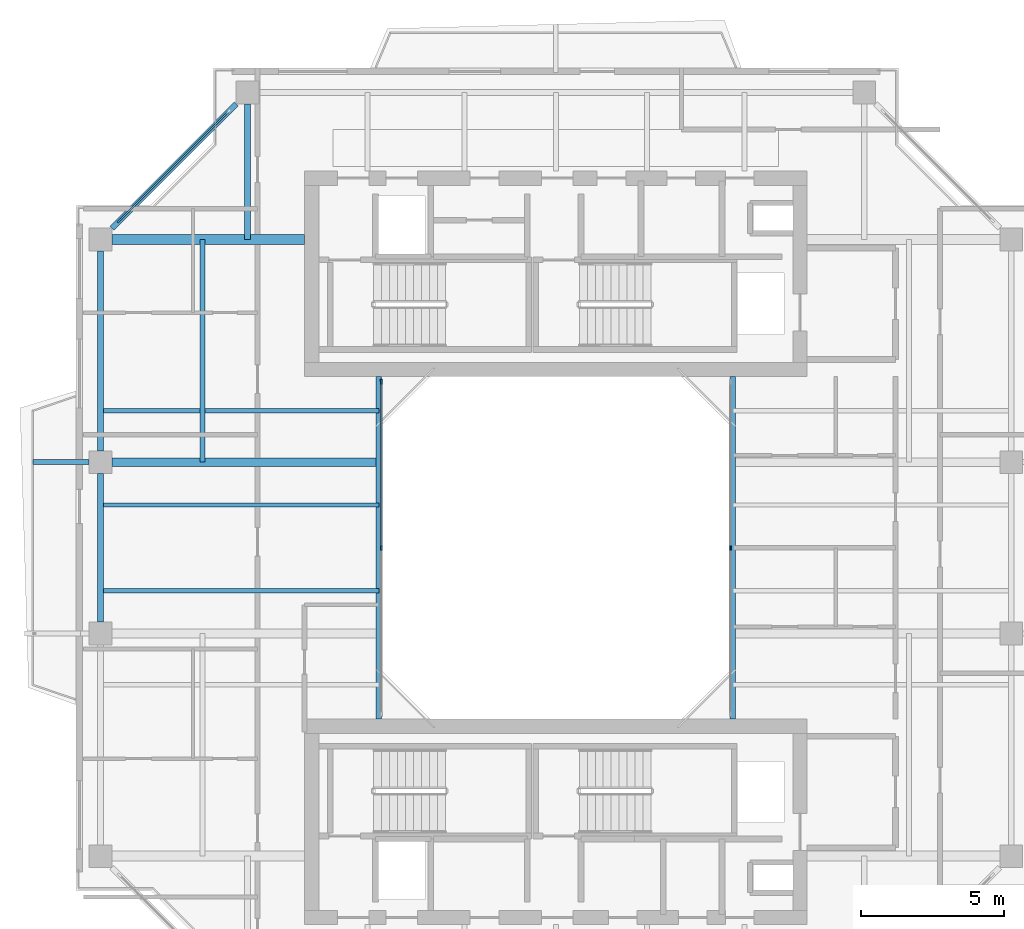
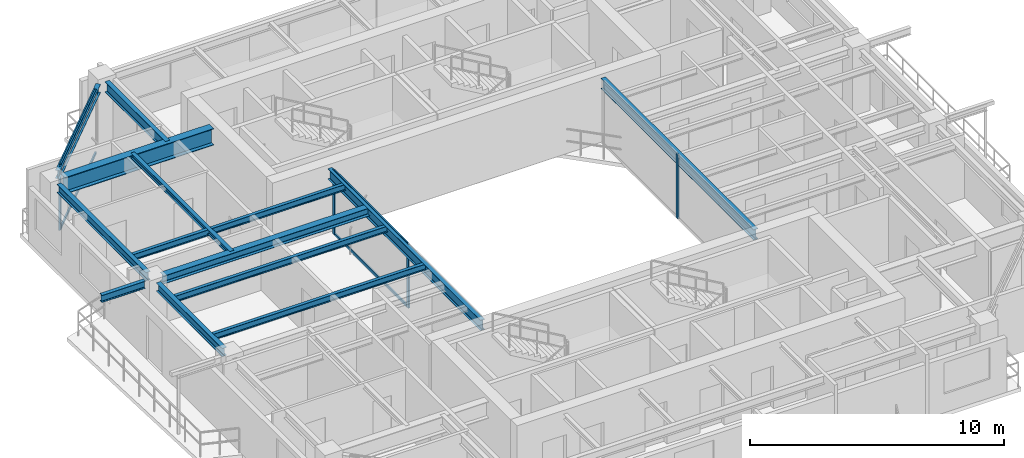
# One storey, part 5 of 15: 13 beams, 8 members, 3 elements without a shape of their own.
"""IFC4 building model written with IfcOpenShell, lengths in metres."""

import ifcopenshell
import ifcopenshell.guid

model = None  # the IFC model being written
_history = None  # IfcOwnerHistory: only IFC2X3 demands one
_inside = {}  # id of a spatial element -> (the spatial element, [elements in it])
_under = {}  # id of a project, library or spatial element -> (it, [spatial elements below it])
_declared = {}  # id of a project -> (the project, [libraries it declares])
_typed = {}  # id of a type object -> (the type object, [elements of that type])
_made_of = {}  # id of a material, layer set ... -> (it, [elements and type objects made of it])


def new_model(schema):
    """Start an empty IFC model of exactly this schema.

    Asked for "IFC4X3", IfcOpenShell would pick the latest addendum, in which some entities
    have other attributes; the version numbers below select the first issue.
    IFC2X3 requires an IfcOwnerHistory on every rooted entity: one is made here for all.
    """
    global model, _history
    if schema == "IFC4X3":
        model = ifcopenshell.file(schema_version=(4, 3, 0, 0))
    else:
        model = ifcopenshell.file(schema=schema)
    _inside.clear()
    _under.clear()
    _declared.clear()
    _typed.clear()
    _made_of.clear()
    _history = None
    if model.schema == "IFC2X3":
        org = make("IfcOrganization", Name="unknown")
        user = make(
            "IfcPersonAndOrganization",
            ThePerson=make("IfcPerson", FamilyName="unknown"),
            TheOrganization=org,
        )
        app = make(
            "IfcApplication",
            ApplicationDeveloper=org,
            Version="unknown",
            ApplicationFullName="unknown",
            ApplicationIdentifier="unknown",
        )
        _history = make(
            "IfcOwnerHistory",
            OwningUser=user,
            OwningApplication=app,
            ChangeAction="ADDED",
            CreationDate=0,
        )
    return model


def make(cls, **values):
    """One entity of the class cls with the attributes given. An attribute that is None is left unset."""
    return model.create_entity(
        cls, **{name: value for name, value in values.items() if value is not None}
    )


def rooted(cls, **values):
    """An entity with a GlobalId (a new one), such as an element, a storey or a relation."""
    return make(cls, GlobalId=ifcopenshell.guid.new(), OwnerHistory=_history, **values)


def si_unit(unit_type, name, prefix=None):
    """IfcSIUnit, for example si_unit("LENGTHUNIT", "METRE", prefix="MILLI")."""
    return make("IfcSIUnit", UnitType=unit_type, Prefix=prefix, Name=name)


def assignment(units):
    """IfcUnitAssignment: the units of a project."""
    return None if units is None else make("IfcUnitAssignment", Units=units)


def point(xyz):
    """IfcCartesianPoint."""
    return None if xyz is None else make("IfcCartesianPoint", Coordinates=xyz)


def direction(xyz):
    """IfcDirection."""
    return None if xyz is None else make("IfcDirection", DirectionRatios=xyz)


def frame(location, z_axis=None, x_axis=None):
    """IfcAxis2Placement3D, a coordinate frame: its origin and axes. An axis left out is left unset."""
    return make(
        "IfcAxis2Placement3D",
        Location=point(location),
        Axis=direction(z_axis),
        RefDirection=direction(x_axis),
    )


def frame_2d(location, x_axis=None):
    """IfcAxis2Placement2D, a coordinate frame in the plane: its origin and x axis."""
    return make(
        "IfcAxis2Placement2D", Location=point(location), RefDirection=direction(x_axis)
    )


def origin():
    """The frame at (0, 0, 0) with its axes left unset."""
    return frame((0.0, 0.0, 0.0))


def origin_2d():
    """The frame at (0, 0) in the plane with its x axis left unset."""
    return frame_2d((0.0, 0.0))


def place(relative_to, where):
    """IfcLocalPlacement: puts the frame where relative to a parent placement (None: the world)."""
    return make(
        "IfcLocalPlacement", PlacementRelTo=relative_to, RelativePlacement=where
    )


def context(
    kind, dimensions, precision=None, world=None, true_north=None, identifier=None
):
    """IfcGeometricRepresentationContext, for example the 3D "Model" context."""
    return make(
        "IfcGeometricRepresentationContext",
        ContextIdentifier=identifier,
        ContextType=kind,
        CoordinateSpaceDimension=dimensions,
        Precision=precision,
        WorldCoordinateSystem=world,
        TrueNorth=true_north,
    )


def subcontext(parent, identifier, kind, view, scale=None):
    """IfcGeometricRepresentationSubContext, for example "Body" below "Model"."""
    return make(
        "IfcGeometricRepresentationSubContext",
        ContextIdentifier=identifier,
        ContextType=kind,
        ParentContext=parent,
        TargetScale=scale,
        TargetView=view,
    )


def project(units=None, contexts=None):
    """IfcProject with its units and contexts."""
    return rooted(
        "IfcProject",
        Name="project",
        RepresentationContexts=contexts,
        UnitsInContext=assignment(units),
    )


def spatial(cls, under=None, at=None, **own):
    """A site, building, storey or space (cls), placed at a placement, below another one or the project."""
    s = rooted(cls, ObjectPlacement=at, **own)
    if under is not None:
        _under.setdefault(under.id(), (under, []))[1].append(s)
    return s


def profile(cls, at=None, kind="AREA", **sizes):
    """A parametric profile (cls). Its sizes go by their IFC names, for example OverallWidth=200.0."""
    return make(cls, ProfileType=kind, Position=at, **sizes)


def rectangle(**sizes):
    """IfcRectangleProfileDef."""
    return profile("IfcRectangleProfileDef", **sizes)


def i_section(**sizes):
    """IfcIShapeProfileDef."""
    return profile("IfcIShapeProfileDef", **sizes)


def extrude(swept, where, along, depth):
    """IfcExtrudedAreaSolid: the profile swept, set in the frame where, extruded along a direction by depth."""
    return make(
        "IfcExtrudedAreaSolid",
        SweptArea=swept,
        Position=where,
        ExtrudedDirection=direction(along),
        Depth=depth,
    )


def shape(context_of_items, identifier, shape_type, items):
    """IfcShapeRepresentation: the items that make up one representation, for example the "Body"."""
    return make(
        "IfcShapeRepresentation",
        ContextOfItems=context_of_items,
        RepresentationIdentifier=identifier,
        RepresentationType=shape_type,
        Items=items,
    )


def source(mapping_origin, context_of_items, identifier, shape_type, items):
    """IfcRepresentationMap: a shape defined once, which mapped items show again and again."""
    return make(
        "IfcRepresentationMap",
        MappingOrigin=mapping_origin,
        MappedRepresentation=shape(context_of_items, identifier, shape_type, items),
    )


def transform(
    local_origin,
    x_axis=None,
    y_axis=None,
    z_axis=None,
    scale=None,
    scale2=None,
    scale3=None,
    uniform=True,
):
    """IfcCartesianTransformationOperator3D, or its non-uniform kind. x_axis, y_axis, z_axis: its Axis1, 2, 3."""
    if uniform:
        return make(
            "IfcCartesianTransformationOperator3D",
            Axis1=direction(x_axis),
            Axis2=direction(y_axis),
            LocalOrigin=point(local_origin),
            Scale=scale,
            Axis3=direction(z_axis),
        )
    return make(
        "IfcCartesianTransformationOperator3DnonUniform",
        Axis1=direction(x_axis),
        Axis2=direction(y_axis),
        LocalOrigin=point(local_origin),
        Scale=scale,
        Axis3=direction(z_axis),
        Scale2=scale2,
        Scale3=scale3,
    )


def mapped(mapping_source, mapping_target):
    """IfcMappedItem: shows the shape of a source again, moved by a transform."""
    return make(
        "IfcMappedItem", MappingSource=mapping_source, MappingTarget=mapping_target
    )


def material(Name=None, Category=None):
    """IfcMaterial."""
    return make("IfcMaterial", Name=Name, Category=Category)


def layer(
    of_material, thickness, ventilated=None, Name=None, Category=None, Priority=None
):
    """IfcMaterialLayer: one layer of a wall or slab, of a material (None: an air gap)."""
    return make(
        "IfcMaterialLayer",
        Material=of_material,
        LayerThickness=thickness,
        IsVentilated=ventilated,
        Name=Name,
        Category=Category,
        Priority=Priority,
    )


def layer_set(layers, Name=None):
    """IfcMaterialLayerSet."""
    return make("IfcMaterialLayerSet", MaterialLayers=layers, LayerSetName=Name)


def material_profile(
    of_material, cross_section, Name=None, Category=None, Priority=None
):
    """IfcMaterialProfile: a cross section and its material."""
    return make(
        "IfcMaterialProfile",
        Name=Name,
        Material=of_material,
        Profile=cross_section,
        Priority=Priority,
        Category=Category,
    )


def profile_set(profiles, Name=None, composite=None):
    """IfcMaterialProfileSet."""
    return make(
        "IfcMaterialProfileSet",
        Name=Name,
        MaterialProfiles=profiles,
        CompositeProfile=composite,
    )


def made_of(thing, what):
    """Note that an element or type object is made of a material, layer set ...; save() writes the relation."""
    if what is not None:
        _made_of.setdefault(what.id(), (what, []))[1].append(thing)
    return thing


def type_object(cls, material=None, **own):
    """A type object (cls), such as IfcWallType, which elements share."""
    return made_of(rooted(cls, **own), material)


def element(
    cls,
    number,
    at=None,
    inside=None,
    cuts=None,
    type_object=None,
    material=None,
    context=None,
    identifier="Body",
    shape_type=None,
    held_by="IfcProductDefinitionShape",
    body=None,
    shapes=None,
    **own,
):
    """One element of the class cls, such as IfcWall. Its Tag is "e" and its number.

    at: its placement. inside: the storey or other place that contains it. cuts: it is an
    opening in that element (IfcRelVoidsElement). A single representation is given by context,
    identifier, shape_type and body (its items); several are given by shapes. held_by: the class
    of the entity that holds the representations. save() writes the other relations.
    """
    e = rooted(cls, Tag="e%d" % number, ObjectPlacement=at, **own)
    if body is not None:
        shapes = [shape(context, identifier, shape_type, body)]
    if shapes is not None:
        e.Representation = make(held_by, Representations=shapes)
    if inside is not None:
        _inside.setdefault(inside.id(), (inside, []))[1].append(e)
    if cuts is not None:
        rooted(
            "IfcRelVoidsElement", RelatingBuildingElement=cuts, RelatedOpeningElement=e
        )
    if type_object is not None:
        _typed.setdefault(type_object.id(), (type_object, []))[1].append(e)
    return made_of(e, material)


def aggregate(whole, parts):
    """IfcRelAggregates: a whole, such as a stair, and the parts it consists of."""
    return rooted("IfcRelAggregates", RelatingObject=whole, RelatedObjects=parts)


def save(model, path):
    """Write the relations noted so far, then the file.

    IfcRelAggregates (storeys below a building ...), IfcRelContainedInSpatialStructure (elements
    in a storey), IfcRelDefinesByType, IfcRelAssociatesMaterial and IfcRelDeclares: one each for
    every whole, place, type object, material and project.
    """
    for whole, parts in _under.values():
        aggregate(whole, parts)
    for where, things in _inside.values():
        rooted(
            "IfcRelContainedInSpatialStructure",
            RelatedElements=things,
            RelatingStructure=where,
        )
    for kind, things in _typed.values():
        rooted("IfcRelDefinesByType", RelatedObjects=things, RelatingType=kind)
    for what, things in _made_of.values():
        rooted("IfcRelAssociatesMaterial", RelatedObjects=things, RelatingMaterial=what)
    for by, libraries in _declared.values():
        rooted("IfcRelDeclares", RelatingContext=by, RelatedDefinitions=libraries)
    model.write(path)


model = new_model("IFC4")

# Units and contexts
model_context = context("Model", 3, precision=1e-05, world=origin(), true_north=direction((0.0, 1.0)))
body_context = subcontext(model_context, "Body", "Model", "MODEL_VIEW")
ifc_project = project(units=[si_unit("LENGTHUNIT", "METRE"), si_unit("AREAUNIT", "SQUARE_METRE"), si_unit("VOLUMEUNIT", "CUBIC_METRE"), si_unit("PLANEANGLEUNIT", "RADIAN"), si_unit("MASSUNIT", "GRAM", prefix="KILO"), si_unit("THERMODYNAMICTEMPERATUREUNIT", "KELVIN"), si_unit("POWERUNIT", "WATT")], contexts=[model_context])

# Site, building, storey
site_placement = place(None, origin())
site = spatial("IfcSite", under=ifc_project, at=site_placement, CompositionType="ELEMENT")
building_placement = place(site_placement, origin())
building = spatial("IfcBuilding", under=site, at=building_placement, Name="Qiaomeng Ring Towers", CompositionType="ELEMENT")
storey_placement = place(building_placement, frame((0.0, 0.0, 200.25)))
storey = spatial("IfcBuildingStorey", under=building, at=storey_placement, Name="L58", CompositionType="ELEMENT", Elevation=200.25)

# Beams
ifc_material_1 = material(Name="Steel Q355B", Category="steel")
ifc_material_profile_1 = material_profile(ifc_material_1, i_section(OverallWidth=0.199951171875, OverallDepth=0.5, WebThickness=0.010009765625, FlangeThickness=0.01611328125, FilletRadius=0.02001953125, at=origin_2d()), Name="HN 500x200x10x16")
ifc_profile_set_1 = profile_set([ifc_material_profile_1], Name="Steel Q355B")
beam_type_1 = type_object("IfcBeamType", Name="STR-BM-HN500", PredefinedType="BEAM", material=ifc_profile_set_1)
shared_shape_1 = source(origin(), body_context, "Body", "SweptSolid", [
    extrude(i_section(OverallWidth=0.199951171875, OverallDepth=0.5, WebThickness=0.010009765625, FlangeThickness=0.01611328125, FilletRadius=0.02001953125, at=origin_2d()), origin(), (0.0, 0.0, 1.0), 12.0),
])
for number, where, z_axis, x_axis, name in (
    (1, (12.800048828125, 17.0, 2.820068359375), (0.0, 1.0, 0.0), (-1.0, 0.0, 0.0), "L58 beam STR-BM-L58-WELL-W"),
    (2, (25.199951171875, 17.0, 2.820068359375), (0.0, 1.0, 0.0), (-1.0, 0.0, 0.0), "L58 beam STR-BM-L58-WELL-E"),
):
    element("IfcBeam", number, at=place(storey_placement, frame(where, z_axis=z_axis, x_axis=x_axis)), inside=storey, type_object=beam_type_1, Name=name, PredefinedType="BEAM", context=body_context, shape_type="MappedRepresentation", body=[
        mapped(shared_shape_1, transform((0.0, 0.0, 0.0), x_axis=(1.0, 0.0, 0.0), y_axis=(0.0, 1.0, 0.0), z_axis=(0.0, 0.0, 1.0), scale=1.0)),
    ])
ifc_material_profile_2 = material_profile(ifc_material_1, i_section(OverallWidth=0.198974609375, OverallDepth=0.39599609375, WebThickness=0.007080078125, FlangeThickness=0.010986328125, FilletRadius=0.01611328125, at=origin_2d()), Name="HN 396x199x7x11")
ifc_profile_set_2 = profile_set([ifc_material_profile_2], Name="Steel Q355B")
beam_type_2 = type_object("IfcBeamType", Name="STR-BM-HN396", PredefinedType="SPANDREL", material=ifc_profile_set_2)
shared_shape_2 = source(origin(), body_context, "Body", "SweptSolid", [
    extrude(i_section(OverallWidth=0.198974609375, OverallDepth=0.39599609375, WebThickness=0.007080078125, FlangeThickness=0.010986328125, FilletRadius=0.01611328125, at=origin_2d()), origin(), (0.0, 0.0, 1.0), 6.154052734375),
])
beam_1_placement = place(storey_placement, frame((7.80078125, 38.55078125, 2.8720703125), z_axis=(-0.707106781187, -0.707106781187, 0.0), x_axis=(0.707106781187, -0.707106781187, 0.0)))
element("IfcBeam", 3, at=beam_1_placement, inside=storey, type_object=beam_type_2, Name="L58 beam STR-SP-L58-T1-N1-W4", PredefinedType="SPANDREL", context=body_context, shape_type="MappedRepresentation", body=[
    mapped(shared_shape_2, transform((0.0, 0.0, 0.0), x_axis=(1.0, 0.0, 0.0), y_axis=(0.0, 1.0, 0.0), z_axis=(0.0, 0.0, 1.0), scale=1.0)),
])
shared_shape_3 = source(origin(), body_context, "Body", "SweptSolid", [
    extrude(i_section(OverallWidth=0.198974609375, OverallDepth=0.39599609375, WebThickness=0.007080078125, FlangeThickness=0.010986328125, FilletRadius=0.01611328125, at=origin_2d()), origin(), (0.0, 0.0, 1.0), 7.001953125),
])
beam_2_placement = place(storey_placement, frame((3.050048828125, 33.40087890625, 2.8720703125), z_axis=(0.0, -1.0, 0.0), x_axis=(1.0, 0.0, 0.0)))
element("IfcBeam", 4, at=beam_2_placement, inside=storey, type_object=beam_type_2, Name="L58 beam STR-SP-L58-T1-W4-W3", PredefinedType="SPANDREL", context=body_context, shape_type="MappedRepresentation", body=[
    mapped(shared_shape_3, transform((0.0, 0.0, 0.0), x_axis=(1.0, 0.0, 0.0), y_axis=(0.0, 1.0, 0.0), z_axis=(0.0, 0.0, 1.0), scale=1.0)),
])
shared_shape_4 = source(origin(), body_context, "Body", "SweptSolid", [
    extrude(i_section(OverallWidth=0.198974609375, OverallDepth=0.39599609375, WebThickness=0.007080078125, FlangeThickness=0.010986328125, FilletRadius=0.01611328125, at=origin_2d()), origin(), (0.0, 0.0, 1.0), 5.2021484375),
])
beam_3_placement = place(storey_placement, frame((3.050048828125, 25.60107421875, 2.8720703125), z_axis=(0.0, -1.0, 0.0), x_axis=(1.0, 0.0, 0.0)))
element("IfcBeam", 5, at=beam_3_placement, inside=storey, type_object=beam_type_2, Name="L58 beam STR-SP-L58-T1-W3-W2", PredefinedType="SPANDREL", context=body_context, shape_type="MappedRepresentation", body=[
    mapped(shared_shape_4, transform((0.0, 0.0, 0.0), x_axis=(1.0, 0.0, 0.0), y_axis=(0.0, 1.0, 0.0), z_axis=(0.0, 0.0, 1.0), scale=1.0)),
])
ifc_material_2 = material(Name="Steel Q390GJC", Category="steel")
ifc_material_profile_3 = material_profile(ifc_material_2, i_section(OverallWidth=0.35009765625, OverallDepth=0.800048828125, WebThickness=0.01611328125, FlangeThickness=0.028076171875, at=origin_2d()), Name="WH 800x350x16x28")
ifc_profile_set_3 = profile_set([ifc_material_profile_3], Name="Steel Q390GJC")
beam_type_3 = type_object("IfcBeamType", Name="STR-BM-WH800", PredefinedType="BEAM", material=ifc_profile_set_3)
shared_shape_5 = source(origin(), body_context, "Body", "SweptSolid", [
    extrude(i_section(OverallWidth=0.35009765625, OverallDepth=0.800048828125, WebThickness=0.01611328125, FlangeThickness=0.028076171875, at=origin_2d()), origin(), (0.0, 0.0, 1.0), 6.7509765625),
])
beam_4_placement = place(storey_placement, frame((3.448974609375, 33.800048828125, 2.669921875), z_axis=(1.0, 0.0, 0.0), x_axis=(0.0, 1.0, 0.0)))
element("IfcBeam", 6, at=beam_4_placement, inside=storey, type_object=beam_type_3, Name="L58 beam STR-BM-L58-T1-RAD-W4", PredefinedType="BEAM", context=body_context, shape_type="MappedRepresentation", body=[
    mapped(shared_shape_5, transform((0.0, 0.0, 0.0), x_axis=(1.0, 0.0, 0.0), y_axis=(0.0, 1.0, 0.0), z_axis=(0.0, 0.0, 1.0), scale=1.0)),
])
shared_shape_6 = source(origin(), body_context, "Body", "SweptSolid", [
    extrude(i_section(OverallWidth=0.199951171875, OverallDepth=0.5, WebThickness=0.010009765625, FlangeThickness=0.01611328125, FilletRadius=0.02001953125, at=origin_2d()), origin(), (0.0, 0.0, 1.0), 4.7509765625),
])
beam_5_placement = place(storey_placement, frame((8.199951171875, 38.551025390625, 2.820068359375), z_axis=(0.0, -1.0, 0.0), x_axis=(1.0, 0.0, 0.0)))
element("IfcBeam", 7, at=beam_5_placement, inside=storey, type_object=beam_type_1, Name="L58 beam STR-BM-L58-T1-RAD-N1", PredefinedType="BEAM", context=body_context, shape_type="MappedRepresentation", body=[
    mapped(shared_shape_6, transform((0.0, 0.0, 0.0), x_axis=(1.0, 0.0, 0.0), y_axis=(0.0, 1.0, 0.0), z_axis=(0.0, 0.0, 1.0), scale=1.0)),
])
ifc_material_profile_4 = material_profile(ifc_material_1, i_section(OverallWidth=0.300048828125, OverallDepth=0.389892578125, WebThickness=0.010009765625, FlangeThickness=0.01611328125, FilletRadius=0.02197265625, at=origin_2d()), Name="HM 390x300x10x16")
ifc_profile_set_4 = profile_set([ifc_material_profile_4], Name="Steel Q355B")
beam_type_4 = type_object("IfcBeamType", Name="STR-BM-HM390", PredefinedType="BEAM", material=ifc_profile_set_4)
shared_shape_7 = source(origin(), body_context, "Body", "SweptSolid", [
    extrude(i_section(OverallWidth=0.300048828125, OverallDepth=0.389892578125, WebThickness=0.010009765625, FlangeThickness=0.01611328125, FilletRadius=0.02197265625, at=origin_2d()), origin(), (0.0, 0.0, 1.0), 9.35107421875),
])
beam_6_placement = place(storey_placement, frame((3.448974609375, 26.0, 2.875), z_axis=(1.0, 0.0, 0.0), x_axis=(0.0, 1.0, 0.0)))
element("IfcBeam", 8, at=beam_6_placement, inside=storey, type_object=beam_type_4, Name="L58 beam STR-BM-L58-T1-RAD-W3", PredefinedType="BEAM", context=body_context, shape_type="MappedRepresentation", body=[
    mapped(shared_shape_7, transform((0.0, 0.0, 0.0), x_axis=(1.0, 0.0, 0.0), y_axis=(0.0, 1.0, 0.0), z_axis=(0.0, 0.0, 1.0), scale=1.0)),
])
ifc_material_profile_5 = material_profile(ifc_material_1, i_section(OverallWidth=0.175048828125, OverallDepth=0.35009765625, WebThickness=0.007080078125, FlangeThickness=0.010986328125, FilletRadius=0.013916015625, at=origin_2d()), Name="HN 350x175x7x11")
ifc_profile_set_5 = profile_set([ifc_material_profile_5], Name="Steel Q355B")
beam_type_5 = type_object("IfcBeamType", Name="STR-BM-HN350", PredefinedType="JOIST", material=ifc_profile_set_5)
shared_shape_8 = source(origin(), body_context, "Body", "SweptSolid", [
    extrude(i_section(OverallWidth=0.175048828125, OverallDepth=0.35009765625, WebThickness=0.007080078125, FlangeThickness=0.010986328125, FilletRadius=0.013916015625, at=origin_2d()), origin(), (0.0, 0.0, 1.0), 1.970947265625),
])
beam_7_placement = place(storey_placement, frame((0.679931640625, 26.0, 2.89501953125), z_axis=(1.0, 0.0, 0.0), x_axis=(0.0, 1.0, 0.0)))
element("IfcBeam", 9, at=beam_7_placement, inside=storey, type_object=beam_type_5, Name="L58 beam STR-BALBM-L58-W3", PredefinedType="JOIST", context=body_context, shape_type="MappedRepresentation", body=[
    mapped(shared_shape_8, transform((0.0, 0.0, 0.0), x_axis=(1.0, 0.0, 0.0), y_axis=(0.0, 1.0, 0.0), z_axis=(0.0, 0.0, 1.0), scale=1.0)),
])
ifc_material_profile_6 = material_profile(ifc_material_1, i_section(OverallWidth=0.14990234375, OverallDepth=0.300048828125, WebThickness=0.006591796875, FlangeThickness=0.009033203125, FilletRadius=0.012939453125, at=origin_2d()), Name="HN 300x150x6.5x9")
ifc_profile_set_6 = profile_set([ifc_material_profile_6], Name="Steel Q355B")
beam_type_6 = type_object("IfcBeamType", Name="STR-BM-HN300", PredefinedType="JOIST", material=ifc_profile_set_6)
shared_shape_9 = source(origin(), body_context, "Body", "SweptSolid", [
    extrude(i_section(OverallWidth=0.14990234375, OverallDepth=0.300048828125, WebThickness=0.006591796875, FlangeThickness=0.009033203125, FilletRadius=0.012939453125, at=origin_2d()), origin(), (0.0, 0.0, 1.0), 9.75),
])
for number, where, z_axis, x_axis, name in (
    (10, (3.050048828125, 21.5, 2.919921875), (1.0, 0.0, 0.0), (0.0, 1.0, 0.0), "L58 beam STR-JST-L58-T1W-2"),
    (11, (3.050048828125, 24.5, 2.919921875), (1.0, 0.0, 0.0), (0.0, 1.0, 0.0), "L58 beam STR-JST-L58-T1W-3"),
    (12, (3.050048828125, 27.800048828125, 2.919921875), (1.0, 0.0, 0.0), (0.0, 1.0, 0.0), "L58 beam STR-JST-L58-T1W-4"),
):
    element("IfcBeam", number, at=place(storey_placement, frame(where, z_axis=z_axis, x_axis=x_axis)), inside=storey, type_object=beam_type_6, Name=name, PredefinedType="JOIST", context=body_context, shape_type="MappedRepresentation", body=[
        mapped(shared_shape_9, transform((0.0, 0.0, 0.0), x_axis=(1.0, 0.0, 0.0), y_axis=(0.0, 1.0, 0.0), z_axis=(0.0, 0.0, 1.0), scale=1.0)),
    ])
ifc_material_profile_7 = material_profile(ifc_material_1, i_section(OverallWidth=0.175048828125, OverallDepth=0.243896484375, WebThickness=0.007080078125, FlangeThickness=0.010986328125, FilletRadius=0.01611328125, at=origin_2d()), Name="HM 244x175x7x11")
ifc_profile_set_7 = profile_set([ifc_material_profile_7], Name="Steel Q355B")
beam_type_7 = type_object("IfcBeamType", Name="STR-BM-HM244", PredefinedType="JOIST", material=ifc_profile_set_7)
shared_shape_10 = source(origin(), body_context, "Body", "SweptSolid", [
    extrude(i_section(OverallWidth=0.175048828125, OverallDepth=0.243896484375, WebThickness=0.007080078125, FlangeThickness=0.010986328125, FilletRadius=0.01611328125, at=origin_2d()), origin(), (0.0, 0.0, 1.0), 7.800048828125),
])
beam_8_placement = place(storey_placement, frame((6.625, 26.0, 2.947998046875), z_axis=(0.0, 1.0, 0.0), x_axis=(-1.0, 0.0, 0.0)))
element("IfcBeam", 13, at=beam_8_placement, inside=storey, type_object=beam_type_7, Name="L58 beam STR-JST-L58-T1C-WN", PredefinedType="JOIST", context=body_context, shape_type="MappedRepresentation", body=[
    mapped(shared_shape_10, transform((0.0, 0.0, 0.0), x_axis=(1.0, 0.0, 0.0), y_axis=(0.0, 1.0, 0.0), z_axis=(0.0, 0.0, 1.0), scale=1.0)),
])

# Curtain wall, members
ifc_material_3 = material(Name="Fluorocarbon dark-grey aluminium", Category="aluminium")
ifc_layer_1 = layer(ifc_material_3, 0.139892578125, Name="Fluorocarbon dark-grey aluminium")
ifc_layer_set_1 = layer_set([ifc_layer_1], Name="Fluorocarbon dark-grey aluminium")
curtain_wall_type_1 = type_object("IfcCurtainWallType", Name="ARC-CW-4", PredefinedType="NOTDEFINED", material=ifc_layer_set_1)
curtain_wall_1_placement = place(storey_placement, origin())
curtain_wall_1 = element("IfcCurtainWall", 14, at=curtain_wall_1_placement, inside=storey, type_object=curtain_wall_type_1, Name="L58 Curtain Wall CW4", PredefinedType="NOTDEFINED")
ifc_material_profile_8 = material_profile(ifc_material_3, rectangle(XDim=0.06494140625, YDim=0.159912109375, at=origin_2d()), Name="ALU MULL 65x160")
ifc_profile_set_8 = profile_set([ifc_material_profile_8], Name="Fluorocarbon dark-grey aluminium")
member_type_1 = type_object("IfcMemberType", Name="ARC-CWM-140", PredefinedType="MULLION", material=ifc_profile_set_8)
shared_shape_11 = source(origin(), body_context, "Body", "SweptSolid", [
    extrude(rectangle(XDim=0.06494140625, YDim=0.159912109375, at=origin_2d()), origin(), (0.0, 0.0, 1.0), 3.070068359375),
])
member_1_placement = place(storey_placement, frame((12.8798828125, 23.0, 0.0), z_axis=(0.0, 0.0, 1.0), x_axis=(-1.0, 0.0, 0.0)))
member_1 = element("IfcMember", 15, at=member_1_placement, type_object=member_type_1, Name="CW4 mullion 2", PredefinedType="MULLION", context=body_context, shape_type="MappedRepresentation", body=[
    mapped(shared_shape_11, transform((0.0, 0.0, 0.0), x_axis=(1.0, 0.0, 0.0), y_axis=(0.0, 1.0, 0.0), z_axis=(0.0, 0.0, 1.0), scale=1.0)),
])
member_2_placement = place(storey_placement, frame((12.8798828125, 28.8173828125, 0.0), z_axis=(0.0, 0.0, 1.0), x_axis=(-1.0, 0.0, 0.0)))
member_2 = element("IfcMember", 16, at=member_2_placement, type_object=member_type_1, Name="CW4 mullion 3", PredefinedType="MULLION", context=body_context, shape_type="MappedRepresentation", body=[
    mapped(shared_shape_11, transform((0.0, 0.0, 0.0), x_axis=(1.0, 0.0, 0.0), y_axis=(0.0, 1.0, 0.0), z_axis=(0.0, 0.0, 1.0), scale=1.0)),
])

# Curtain wall, member
curtain_wall_2_placement = place(storey_placement, origin())
curtain_wall_2 = element("IfcCurtainWall", 17, at=curtain_wall_2_placement, inside=storey, type_object=curtain_wall_type_1, Name="L58 Curtain Wall CW4", PredefinedType="NOTDEFINED")
member_3_placement = place(storey_placement, frame((25.1201171875, 23.0, 0.0), z_axis=(0.0, 0.0, 1.0), x_axis=(-1.0, 0.0, 0.0)))
member_3 = element("IfcMember", 18, at=member_3_placement, type_object=member_type_1, Name="CW4 mullion 2", PredefinedType="MULLION", context=body_context, shape_type="MappedRepresentation", body=[
    mapped(shared_shape_11, transform((0.0, 0.0, 0.0), x_axis=(1.0, 0.0, 0.0), y_axis=(0.0, 1.0, 0.0), z_axis=(0.0, 0.0, 1.0), scale=1.0)),
])
aggregate(curtain_wall_2, [member_3])

# Member
ifc_material_profile_9 = material_profile(ifc_material_3, rectangle(XDim=0.06494140625, YDim=0.1298828125, at=origin_2d()), Name="ALU TRAN 65x130")
ifc_profile_set_9 = profile_set([ifc_material_profile_9], Name="Fluorocarbon dark-grey aluminium")
member_type_2 = type_object("IfcMemberType", Name="ARC-CWT-120", PredefinedType="USERDEFINED", material=ifc_profile_set_9)
shared_shape_12 = source(origin(), body_context, "Body", "SweptSolid", [
    extrude(rectangle(XDim=0.06494140625, YDim=0.1298828125, at=origin_2d()), origin(), (0.0, 0.0, 1.0), 5.75244140625),
])
member_4_placement = place(storey_placement, frame((12.8798828125, 23.032470703125, 0.032470703125), z_axis=(0.0, 1.0, 0.0), x_axis=(-1.0, 0.0, 0.0)))
member_4 = element("IfcMember", 19, at=member_4_placement, type_object=member_type_2, Name="CW4 transom 2.1", ObjectType="TRANSOM", PredefinedType="USERDEFINED", context=body_context, shape_type="MappedRepresentation", body=[
    mapped(shared_shape_12, transform((0.0, 0.0, 0.0), x_axis=(1.0, 0.0, 0.0), y_axis=(0.0, 1.0, 0.0), z_axis=(0.0, 0.0, 1.0), scale=1.0)),
])

member_5_placement = place(storey_placement, frame((12.8798828125, 23.032470703125, 3.03759765625), z_axis=(0.0, 1.0, 0.0), x_axis=(-1.0, 0.0, 0.0)))
member_5 = element("IfcMember", 20, at=member_5_placement, type_object=member_type_2, Name="CW4 transom 2.2", ObjectType="TRANSOM", PredefinedType="USERDEFINED", context=body_context, shape_type="MappedRepresentation", body=[
    mapped(shared_shape_12, transform((0.0, 0.0, 0.0), x_axis=(1.0, 0.0, 0.0), y_axis=(0.0, 1.0, 0.0), z_axis=(0.0, 0.0, 1.0), scale=1.0)),
])

aggregate(curtain_wall_1, [member_1, member_2, member_4, member_5])

# Curtain wall, members
ifc_layer_2 = layer(ifc_material_3, 0.14990234375, Name="Fluorocarbon dark-grey aluminium")
ifc_layer_set_2 = layer_set([ifc_layer_2], Name="Fluorocarbon dark-grey aluminium")
curtain_wall_type_2 = type_object("IfcCurtainWallType", Name="ARC-CW-3", PredefinedType="NOTDEFINED", material=ifc_layer_set_2)
curtain_wall_3_placement = place(storey_placement, origin())
curtain_wall_3 = element("IfcCurtainWall", 21, at=curtain_wall_3_placement, inside=storey, type_object=curtain_wall_type_2, Name="L58 Curtain Wall CW3", PredefinedType="NOTDEFINED")
ifc_material_profile_10 = material_profile(ifc_material_3, rectangle(XDim=0.070068359375, YDim=0.179931640625, at=origin_2d()), Name="ALU MULL 70x180")
ifc_profile_set_10 = profile_set([ifc_material_profile_10], Name="Fluorocarbon dark-grey aluminium")
member_type_3 = type_object("IfcMemberType", Name="ARC-CWM-160", PredefinedType="MULLION", material=ifc_profile_set_10)
shared_shape_13 = source(origin(), body_context, "Body", "SweptSolid", [
    extrude(rectangle(XDim=0.070068359375, YDim=0.179931640625, at=origin_2d()), origin(), (0.0, 0.0, 1.0), 3.070068359375),
])
member_6_placement = place(storey_placement, frame((3.71484375, 34.46484375, 0.0), z_axis=(0.0, 0.0, 1.0), x_axis=(0.707106781187, -0.707106781187, 0.0)))
member_6 = element("IfcMember", 22, at=member_6_placement, type_object=member_type_3, Name="CW3 mullion 2", PredefinedType="MULLION", context=body_context, shape_type="MappedRepresentation", body=[
    mapped(shared_shape_13, transform((0.0, 0.0, 0.0), x_axis=(1.0, 0.0, 0.0), y_axis=(0.0, 1.0, 0.0), z_axis=(0.0, 0.0, 1.0), scale=1.0)),
])
shared_shape_14 = source(origin(), body_context, "Body", "SweptSolid", [
    extrude(rectangle(XDim=0.06494140625, YDim=0.1298828125, at=origin_2d()), origin(), (0.0, 0.0, 1.0), 5.3330078125),
])
member_7_placement = place(storey_placement, frame((7.510498046875, 38.260498046875, 0.032470703125), z_axis=(-0.707106781187, -0.707106781187, 0.0), x_axis=(0.707106781187, -0.707106781187, 0.0)))
member_7 = element("IfcMember", 23, at=member_7_placement, type_object=member_type_2, Name="CW3 transom 1.1", ObjectType="TRANSOM", PredefinedType="USERDEFINED", context=body_context, shape_type="MappedRepresentation", body=[
    mapped(shared_shape_14, transform((0.0, 0.0, 0.0), x_axis=(1.0, 0.0, 0.0), y_axis=(0.0, 1.0, 0.0), z_axis=(0.0, 0.0, 1.0), scale=1.0)),
])
member_8_placement = place(storey_placement, frame((7.510498046875, 38.260498046875, 3.03759765625), z_axis=(-0.707106781187, -0.707106781187, 0.0), x_axis=(0.707106781187, -0.707106781187, 0.0)))
member_8 = element("IfcMember", 24, at=member_8_placement, type_object=member_type_2, Name="CW3 transom 1.2", ObjectType="TRANSOM", PredefinedType="USERDEFINED", context=body_context, shape_type="MappedRepresentation", body=[
    mapped(shared_shape_14, transform((0.0, 0.0, 0.0), x_axis=(1.0, 0.0, 0.0), y_axis=(0.0, 1.0, 0.0), z_axis=(0.0, 0.0, 1.0), scale=1.0)),
])
aggregate(curtain_wall_3, [member_6, member_7, member_8])

save(model, "model.ifc")
